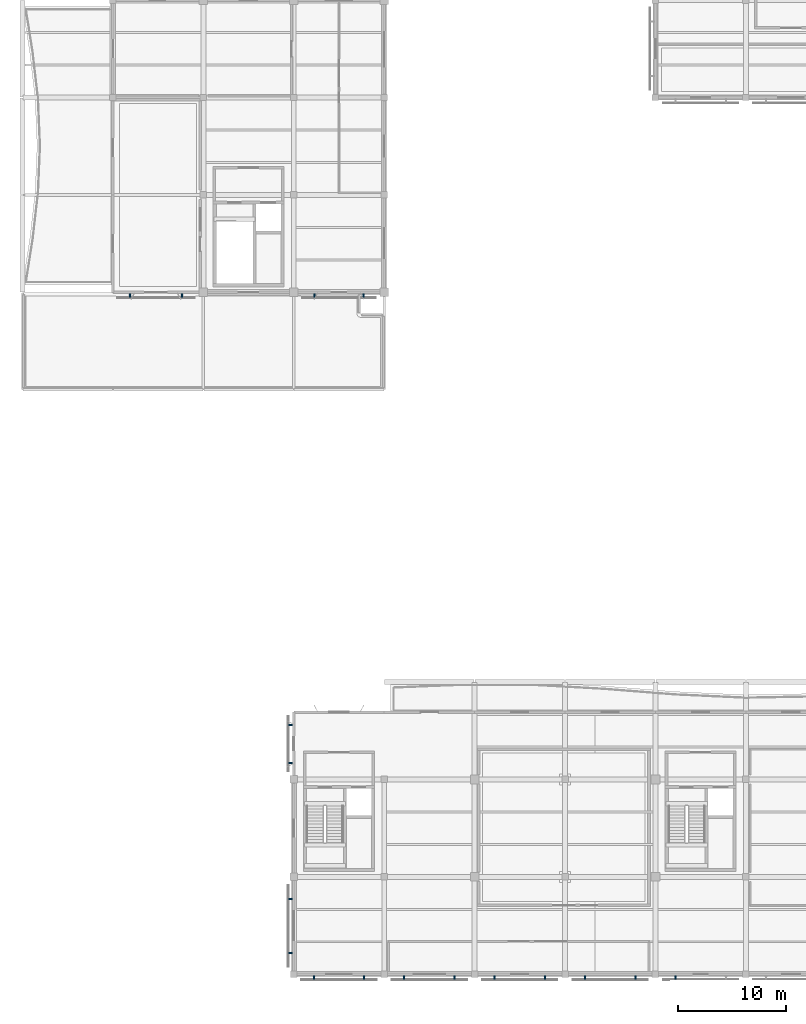
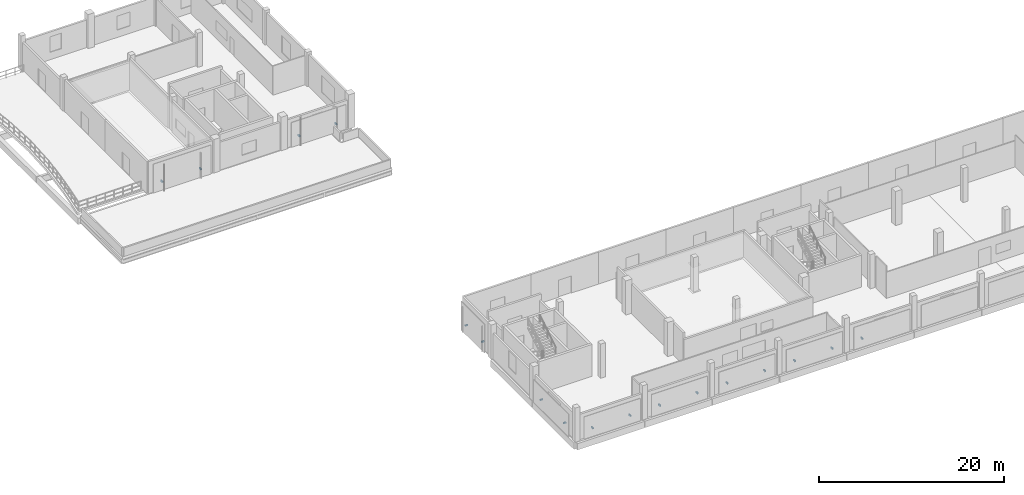
# One storey, part 22 of 34: 17 discrete accessories.
"""IFC4 building model written with IfcOpenShell, lengths in metres."""

from ifc_helpers import new_model, si_unit, direction, frame, origin, origin_2d, place, context, subcontext, project, spatial, rectangle, extrude, material, type_object, element, save


model = new_model("IFC4")

# Units and contexts
model_context = context("Model", 3, precision=1e-05, world=origin(), true_north=direction((0.0, 1.0)))
body_context = subcontext(model_context, "Body", "Model", "MODEL_VIEW")
ifc_project = project(units=[si_unit("LENGTHUNIT", "METRE"), si_unit("AREAUNIT", "SQUARE_METRE"), si_unit("VOLUMEUNIT", "CUBIC_METRE"), si_unit("PLANEANGLEUNIT", "RADIAN"), si_unit("MASSUNIT", "GRAM", prefix="KILO")], contexts=[model_context])

# Site, building, storey
site_placement = place(None, origin())
site = spatial("IfcSite", under=ifc_project, at=site_placement, CompositionType="ELEMENT")
building_placement = place(site_placement, origin())
building = spatial("IfcBuilding", under=site, at=building_placement, Name="Khurvash Pelagic Aquarium", CompositionType="ELEMENT")
storey_placement = place(building_placement, frame((0.0, 0.0, 15.60009765625)))
storey = spatial("IfcBuildingStorey", under=building, at=storey_placement, Name="L03", CompositionType="ELEMENT", Elevation=15.60009765625)

# Discrete accessories
ifc_material = material(Name="Hot-dip galvanised steel S355J2", Category="steel")
discrete_accessory_type = type_object("IfcDiscreteAccessoryType", Name="BK-01", PredefinedType="BRACKET", material=ifc_material)
for number, where, z_axis, x_axis, name in (
    (1, (27.06298828125, 2.304931640625, 1.10986328125), (0.0, 0.0, 1.0), (1.0, 0.0, 0.0), "L03 Jali Screen Support Bracket BK-01 0065"),
    (2, (31.737060546875, 2.304931640625, 1.10986328125), (0.0, 0.0, 1.0), (1.0, 0.0, 0.0), "L03 Jali Screen Support Bracket BK-01 0066"),
    (3, (35.462890625, 2.304931640625, 1.10986328125), (0.0, 0.0, 1.0), (1.0, 0.0, 0.0), "L03 Jali Screen Support Bracket BK-01 0067"),
    (4, (40.136962890625, 2.304931640625, 1.10986328125), (0.0, 0.0, 1.0), (1.0, 0.0, 0.0), "L03 Jali Screen Support Bracket BK-01 0068"),
    (5, (43.863037109375, 2.304931640625, 1.10986328125), (0.0, 0.0, 1.0), (1.0, 0.0, 0.0), "L03 Jali Screen Support Bracket BK-01 0069"),
    (6, (48.537109375, 2.304931640625, 1.10986328125), (0.0, 0.0, 1.0), (1.0, 0.0, 0.0), "L03 Jali Screen Support Bracket BK-01 0070"),
    (7, (52.262939453125, 2.304931640625, 1.10986328125), (0.0, 0.0, 1.0), (1.0, 0.0, 0.0), "L03 Jali Screen Support Bracket BK-01 0071"),
    (8, (56.93701171875, 2.304931640625, 1.10986328125), (0.0, 0.0, 1.0), (1.0, 0.0, 0.0), "L03 Jali Screen Support Bracket BK-01 0072"),
    (9, (60.6630859375, 2.304931640625, 1.10986328125), (0.0, 0.0, 1.0), (1.0, 0.0, 0.0), "L03 Jali Screen Support Bracket BK-01 0073"),
    (10, (24.905029296875, 25.77099609375, 1.10986328125), (0.0, 0.0, 1.0), (0.0, -1.0, 0.0), "L03 Jali Screen Support Bracket BK-01 0085"),
    (11, (24.905029296875, 22.23388671875, 1.10986328125), (0.0, 0.0, 1.0), (0.0, -1.0, 0.0), "L03 Jali Screen Support Bracket BK-01 0086"),
    (12, (24.905029296875, 9.616943359375, 1.10986328125), (0.0, 0.0, 1.0), (0.0, -1.0, 0.0), "L03 Jali Screen Support Bracket BK-01 0087"),
    (13, (24.905029296875, 4.5830078125, 1.10986328125), (0.0, 0.0, 1.0), (0.0, -1.0, 0.0), "L03 Jali Screen Support Bracket BK-01 0088"),
    (14, (9.9990234375, 65.655029296875, 1.10986328125), (0.0, 0.0, 1.0), (1.0, 0.0, 0.0), "L03 Jali Screen Support Bracket BK-01 0089"),
    (15, (14.7958984375, 65.655029296875, 1.10986328125), (0.0, 0.0, 1.0), (1.0, 0.0, 0.0), "L03 Jali Screen Support Bracket BK-01 0090"),
    (16, (27.123046875, 65.655029296875, 1.10986328125), (0.0, 0.0, 1.0), (1.0, 0.0, 0.0), "L03 Jali Screen Support Bracket BK-01 0091"),
    (17, (31.677001953125, 65.655029296875, 1.10986328125), (0.0, 0.0, 1.0), (1.0, 0.0, 0.0), "L03 Jali Screen Support Bracket BK-01 0092"),
):
    element("IfcDiscreteAccessory", number, at=place(storey_placement, frame(where, z_axis=z_axis, x_axis=x_axis)), inside=storey, type_object=discrete_accessory_type, Name=name, PredefinedType="BRACKET", context=body_context, shape_type="SweptSolid", body=[
        extrude(rectangle(XDim=0.139892578125, YDim=0.35009765625, at=origin_2d()), origin(), (0.0, 0.0, 1.0), 0.179931640625),
    ])

save(model, "model.ifc")
